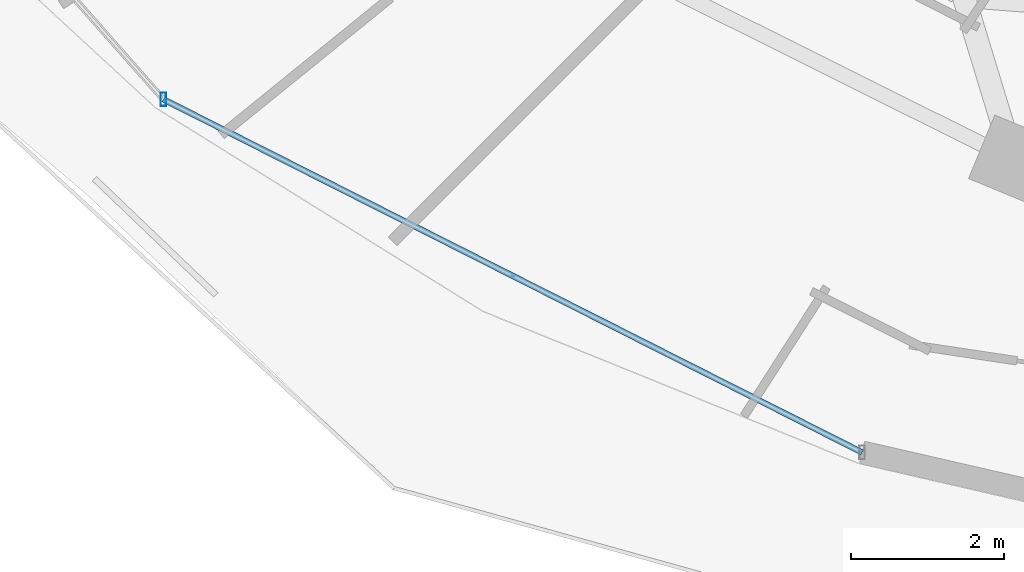
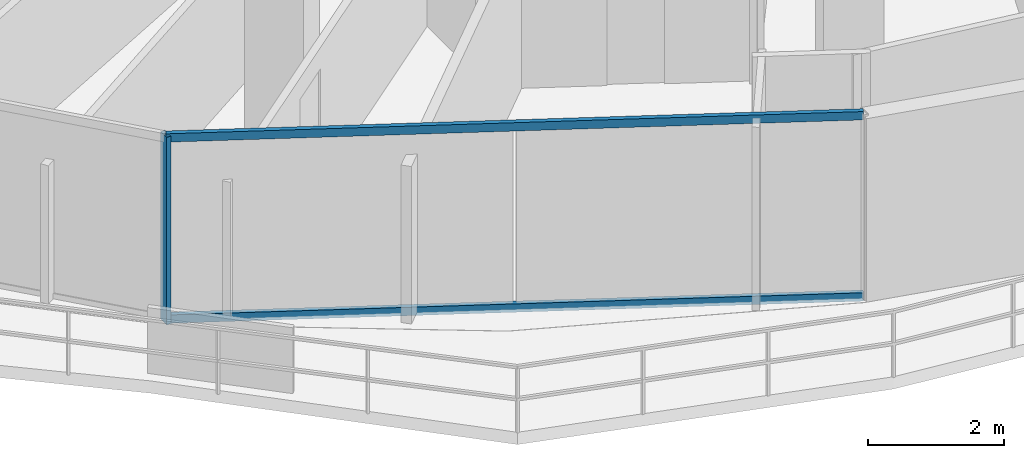
# One storey, part 2 of 33: 3 members, 1 element without a shape of its own.
"""IFC4 building model written with IfcOpenShell, lengths in metres."""

from ifc_helpers import new_model, si_unit, direction, frame, origin, origin_2d, place, context, subcontext, project, spatial, hollow_rectangle, extrude, material, material_profile, profile_set, type_object, element, aggregate, save


model = new_model("IFC4")

# Units and contexts
model_context = context("Model", 3, precision=1e-05, world=origin(), true_north=direction((0.0, 1.0)))
body_context = subcontext(model_context, "Body", "Model", "MODEL_VIEW")
ifc_project = project(units=[si_unit("LENGTHUNIT", "METRE"), si_unit("AREAUNIT", "SQUARE_METRE"), si_unit("VOLUMEUNIT", "CUBIC_METRE"), si_unit("PLANEANGLEUNIT", "RADIAN"), si_unit("MASSUNIT", "GRAM", prefix="KILO")], contexts=[model_context])

# Site, building, storey
site_placement = place(None, origin())
site = spatial("IfcSite", under=ifc_project, at=site_placement, CompositionType="ELEMENT")
building_placement = place(site_placement, origin())
building = spatial("IfcBuilding", under=site, at=building_placement, Name="Vorneva Point Tower", CompositionType="ELEMENT")
storey_placement = place(building_placement, frame((0.0, 0.0, 217.85009765625)))
storey = spatial("IfcBuildingStorey", under=building, at=storey_placement, Name="L59", CompositionType="ELEMENT", Elevation=217.85009765625)

# Curtain wall, members
ifc_material = material(Name="Pale anodised aluminium", Category="aluminium")
curtain_wall_type = type_object("IfcCurtainWallType", Name="CW-RES-SYS", PredefinedType="NOTDEFINED", material=ifc_material)
curtain_wall_placement = place(storey_placement, origin())
curtain_wall = element("IfcCurtainWall", 1, at=curtain_wall_placement, inside=storey, type_object=curtain_wall_type, Name="L59 Unitised Curtain Wall CW-L59-R02", PredefinedType="NOTDEFINED")
ifc_material_profile_1 = material_profile(ifc_material, hollow_rectangle(XDim=0.074951171875, YDim=0.179931640625, WallThickness=0.00390625, at=origin_2d()), Name="AL-MUL 180x75x4")
ifc_profile_set_1 = profile_set([ifc_material_profile_1], Name="Pale anodised aluminium")
member_type_1 = type_object("IfcMemberType", Name="CW-MUL-180", PredefinedType="MULLION", material=ifc_profile_set_1)
member_1_placement = place(storey_placement, frame((18.038330078125, 10.9033203125, -0.0400390625), z_axis=(0.0, 0.0, 1.0), x_axis=(1.0, 0.0, 0.0)))
member_1 = element("IfcMember", 2, at=member_1_placement, type_object=member_type_1, Name="CW-L59-R02 Mullion 05", PredefinedType="MULLION", context=body_context, shape_type="SweptSolid", body=[
    extrude(hollow_rectangle(XDim=0.074951171875, YDim=0.179931640625, WallThickness=0.00390625, at=origin_2d()), origin(), (0.0, 0.0, 1.0), 3.35986328125),
])
ifc_material_profile_2 = material_profile(ifc_material, hollow_rectangle(XDim=0.074951171875, YDim=0.14990234375, WallThickness=0.00390625, at=origin_2d()), Name="AL-TRN 150x75x4")
ifc_profile_set_2 = profile_set([ifc_material_profile_2], Name="Pale anodised aluminium")
member_type_2 = type_object("IfcMemberType", Name="CW-TRN-150", PredefinedType="USERDEFINED", material=ifc_profile_set_2)
member_2_placement = place(storey_placement, frame((18.038330078125, 10.9033203125, 0.02001953125), z_axis=(0.892510927709, -0.451025768576, 0.0), x_axis=(0.451025768576, 0.892510927709, 0.0)))
member_2 = element("IfcMember", 3, at=member_2_placement, type_object=member_type_2, Name="CW-L59-R02 Transom 05.1", ObjectType="TRANSOM", PredefinedType="USERDEFINED", context=body_context, shape_type="SweptSolid", body=[
    extrude(hollow_rectangle(XDim=0.074951171875, YDim=0.14990234375, WallThickness=0.00390625, at=origin_2d()), origin(), (0.0, 0.0, 1.0), 10.261474609375),
])
member_3_placement = place(storey_placement, frame((18.038330078125, 10.9033203125, 3.27001953125), z_axis=(0.892510927709, -0.451025768576, 0.0), x_axis=(0.451025768576, 0.892510927709, 0.0)))
member_3 = element("IfcMember", 4, at=member_3_placement, type_object=member_type_2, Name="CW-L59-R02 Transom 05.2", ObjectType="TRANSOM", PredefinedType="USERDEFINED", context=body_context, shape_type="SweptSolid", body=[
    extrude(hollow_rectangle(XDim=0.074951171875, YDim=0.14990234375, WallThickness=0.00390625, at=origin_2d()), origin(), (0.0, 0.0, 1.0), 10.261474609375),
])
aggregate(curtain_wall, [member_1, member_2, member_3])

save(model, "model.ifc")
